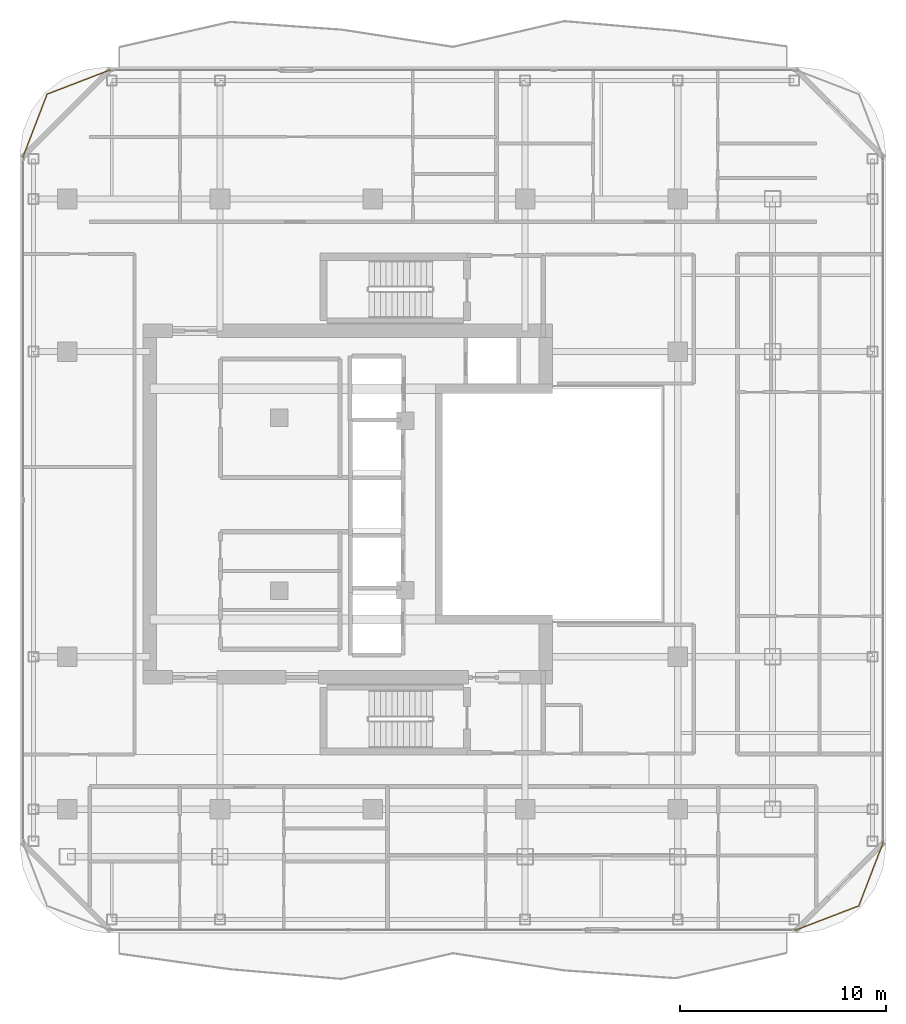
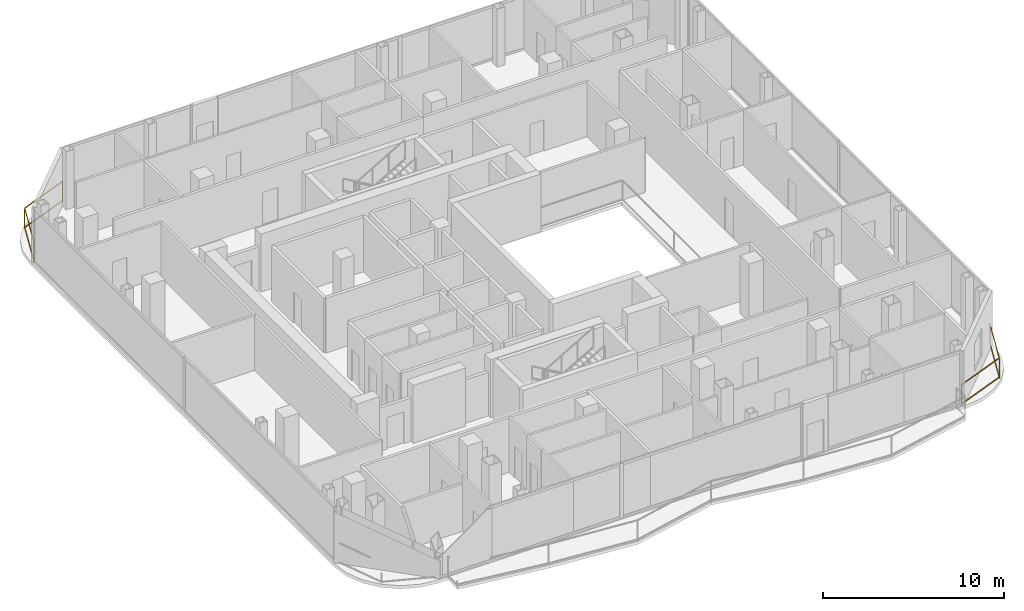
# One storey, part 21 of 22: 2 railings.
"""IFC4 building model written with IfcOpenShell, lengths in metres."""

from ifc_helpers import new_model, si_unit, direction, frame, origin, origin_2d, place, context, subcontext, project, spatial, rectangle, extrude, material, type_object, element, save


model = new_model("IFC4")

# Units and contexts
model_context = context("Model", 3, precision=1e-05, world=origin(), true_north=direction((0.0, 1.0)))
body_context = subcontext(model_context, "Body", "Model", "MODEL_VIEW")
ifc_project = project(units=[si_unit("LENGTHUNIT", "METRE"), si_unit("AREAUNIT", "SQUARE_METRE"), si_unit("VOLUMEUNIT", "CUBIC_METRE"), si_unit("PLANEANGLEUNIT", "RADIAN"), si_unit("MASSUNIT", "GRAM", prefix="KILO")], contexts=[model_context])

# Site, building, storey
site_placement = place(None, origin())
site = spatial("IfcSite", under=ifc_project, at=site_placement, CompositionType="ELEMENT")
building_placement = place(site_placement, origin())
building = spatial("IfcBuilding", under=site, at=building_placement, Name="Khorvyn Point Tower", CompositionType="ELEMENT")
storey_placement = place(building_placement, frame((0.0, 0.0, 278.10009765625)))
storey = spatial("IfcBuildingStorey", under=building, at=storey_placement, Name="L68", CompositionType="ELEMENT", Elevation=278.10009765625)

# Railings
ifc_material = material(Name="Anodised aluminium 6063-T6 and laminated safety glass", Category="aluminium")
railing_type = type_object("IfcRailingType", Name="Laminated Glass and Aluminium Balcony Guardrail 1400", PredefinedType="BALUSTRADE", material=ifc_material)
railing_1_placement = place(storey_placement, frame((-12.6865234375, 21.074462890625, 0.0)))
element("IfcRailing", 1, at=railing_1_placement, inside=storey, type_object=railing_type, Name="L68 Rounded Corner Edge Guardrail NW", PredefinedType="BALUSTRADE", context=body_context, shape_type="SweptSolid", body=[
    extrude(rectangle(XDim=0.048095703125, YDim=0.048095703125, at=origin_2d()), frame((0.0, 0.0, 1.3759765625), z_axis=(-0.93357103624, -0.358392411044, 0.0), x_axis=(0.358392411044, -0.93357103624, 0.0)), (0.0, 0.0, 1.0), 3.31884765625),
    extrude(rectangle(XDim=0.048095703125, YDim=0.048095703125, at=origin_2d()), frame((0.0, 0.0, 0.080078125), z_axis=(-0.93357103624, -0.358392411044, 0.0), x_axis=(0.358392411044, -0.93357103624, 0.0)), (0.0, 0.0, 1.0), 3.31884765625),
    extrude(rectangle(XDim=0.048095703125, YDim=0.048095703125, at=origin_2d()), frame((-3.098388671875, -1.189453125, 1.3759765625), z_axis=(-0.358392411044, -0.93357103624, 0.0), x_axis=(0.93357103624, -0.358392411044, 0.0)), (0.0, 0.0, 1.0), 3.31884765625),
    extrude(rectangle(XDim=0.048095703125, YDim=0.048095703125, at=origin_2d()), frame((-3.098388671875, -1.189453125, 0.080078125), z_axis=(-0.358392411044, -0.93357103624, 0.0), x_axis=(0.93357103624, -0.358392411044, 0.0)), (0.0, 0.0, 1.0), 3.31884765625),
    extrude(rectangle(XDim=0.0419921875, YDim=0.0419921875, at=origin_2d()), origin(), (0.0, 0.0, 1.0), 1.351806640625),
    extrude(rectangle(XDim=0.0419921875, YDim=0.0419921875, at=origin_2d()), frame((-3.098388671875, -1.189453125, 0.0)), (0.0, 0.0, 1.0), 1.351806640625),
    extrude(rectangle(XDim=0.0419921875, YDim=0.0419921875, at=origin_2d()), frame((-4.287841796875, -4.287841796875, 0.0)), (0.0, 0.0, 1.0), 1.351806640625),
])
railing_2_placement = place(storey_placement, frame((20.486572265625, -20.67431640625, 0.0)))
element("IfcRailing", 2, at=railing_2_placement, inside=storey, type_object=railing_type, Name="L68 Rounded Corner Edge Guardrail SE", PredefinedType="BALUSTRADE", context=body_context, shape_type="SweptSolid", body=[
    extrude(rectangle(XDim=0.048095703125, YDim=0.048095703125, at=origin_2d()), frame((0.0, 0.0, 1.3759765625), z_axis=(0.933595647299, 0.358328295484, 0.0), x_axis=(-0.358328295484, 0.933595647299, 0.0)), (0.0, 0.0, 1.0), 3.31884765625),
    extrude(rectangle(XDim=0.048095703125, YDim=0.048095703125, at=origin_2d()), frame((0.0, 0.0, 0.080078125), z_axis=(0.933595647299, 0.358328295484, 0.0), x_axis=(-0.358328295484, 0.933595647299, 0.0)), (0.0, 0.0, 1.0), 3.31884765625),
    extrude(rectangle(XDim=0.048095703125, YDim=0.048095703125, at=origin_2d()), frame((3.098388671875, 1.189208984375, 1.3759765625), z_axis=(0.358367799998, 0.933580483903, 0.0), x_axis=(-0.933580483903, 0.358367799998, 0.0)), (0.0, 0.0, 1.0), 3.319091796875),
    extrude(rectangle(XDim=0.048095703125, YDim=0.048095703125, at=origin_2d()), frame((3.098388671875, 1.189208984375, 0.080078125), z_axis=(0.358367799998, 0.933580483903, 0.0), x_axis=(-0.933580483903, 0.358367799998, 0.0)), (0.0, 0.0, 1.0), 3.319091796875),
    extrude(rectangle(XDim=0.0419921875, YDim=0.0419921875, at=origin_2d()), origin(), (0.0, 0.0, 1.0), 1.351806640625),
    extrude(rectangle(XDim=0.0419921875, YDim=0.0419921875, at=origin_2d()), frame((3.098388671875, 1.189208984375, 0.0)), (0.0, 0.0, 1.0), 1.351806640625),
    extrude(rectangle(XDim=0.0419921875, YDim=0.0419921875, at=origin_2d()), frame((4.287841796875, 4.287841796875, 0.0)), (0.0, 0.0, 1.0), 1.351806640625),
])

save(model, "model.ifc")
